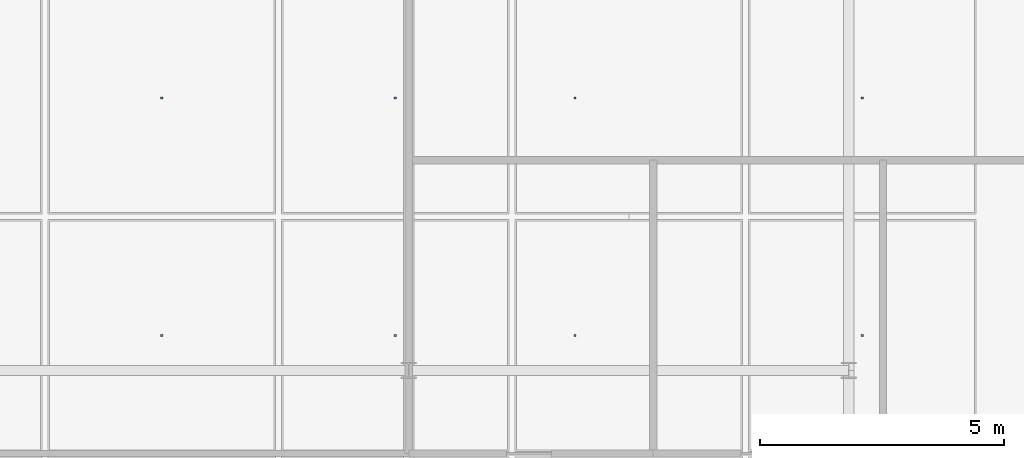
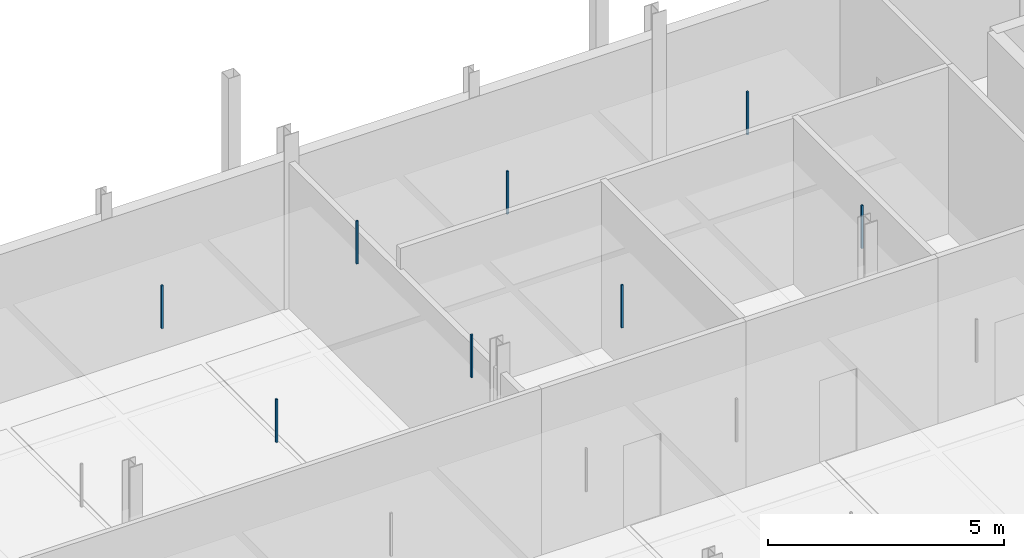
# One storey, part 60 of 89: 8 discrete accessories.
"""IFC4 building model written with IfcOpenShell, lengths in metres."""

from ifc_helpers import new_model, si_unit, direction, frame, origin, origin_2d, place, context, subcontext, project, spatial, rectangle, extrude, material, type_object, element, save


model = new_model("IFC4")

# Units and contexts
model_context = context("Model", 3, precision=1e-05, world=origin(), true_north=direction((0.0, 1.0)))
body_context = subcontext(model_context, "Body", "Model", "MODEL_VIEW")
ifc_project = project(units=[si_unit("LENGTHUNIT", "METRE"), si_unit("AREAUNIT", "SQUARE_METRE"), si_unit("VOLUMEUNIT", "CUBIC_METRE"), si_unit("PLANEANGLEUNIT", "RADIAN"), si_unit("MASSUNIT", "GRAM", prefix="KILO"), si_unit("THERMODYNAMICTEMPERATUREUNIT", "KELVIN"), si_unit("POWERUNIT", "WATT")], contexts=[model_context])

# Site, building, storey
site_placement = place(None, origin())
site = spatial("IfcSite", under=ifc_project, at=site_placement, CompositionType="ELEMENT")
building_placement = place(site_placement, origin())
building = spatial("IfcBuilding", under=site, at=building_placement, Name="Tallowbark Science Centre", CompositionType="ELEMENT")
storey_placement = place(building_placement, frame((0.0, 0.0, 14.39990234375)))
storey = spatial("IfcBuildingStorey", under=building, at=storey_placement, Name="L03", CompositionType="ELEMENT", Elevation=14.39990234375)

# Discrete accessories
ifc_material = material(Name="Galvanised Steel Grade C350L0 (350 MPa)", Category="steel")
discrete_accessory_type = type_object("IfcDiscreteAccessoryType", Name="ACC-CLG-HNG", PredefinedType="BRACKET", material=ifc_material)
for number, where, z_axis, x_axis, name in (
    (1, (71.4443359375, 32.21435546875, 3.20947265625), (0.0, 0.0, 1.0), (1.0, 0.0, 0.0), "Ceiling Hanger Bracket L03-959"),
    (2, (71.4443359375, 37.0712890625, 3.20947265625), (0.0, 0.0, 1.0), (1.0, 0.0, 0.0), "Ceiling Hanger Bracket L03-960"),
    (3, (76.22216796875, 32.21435546875, 3.20947265625), (0.0, 0.0, 1.0), (1.0, 0.0, 0.0), "Ceiling Hanger Bracket L03-966"),
    (4, (76.22216796875, 37.0712890625, 3.20947265625), (0.0, 0.0, 1.0), (1.0, 0.0, 0.0), "Ceiling Hanger Bracket L03-967"),
    (5, (79.900390625, 32.21435546875, 3.20947265625), (0.0, 0.0, 1.0), (1.0, 0.0, 0.0), "Ceiling Hanger Bracket L03-973"),
    (6, (79.900390625, 37.0712890625, 3.20947265625), (0.0, 0.0, 1.0), (1.0, 0.0, 0.0), "Ceiling Hanger Bracket L03-974"),
    (7, (85.77783203125, 32.21435546875, 3.20947265625), (0.0, 0.0, 1.0), (1.0, 0.0, 0.0), "Ceiling Hanger Bracket L03-980"),
    (8, (85.77783203125, 37.0712890625, 3.20947265625), (0.0, 0.0, 1.0), (1.0, 0.0, 0.0), "Ceiling Hanger Bracket L03-981"),
):
    element("IfcDiscreteAccessory", number, at=place(storey_placement, frame(where, z_axis=z_axis, x_axis=x_axis)), inside=storey, type_object=discrete_accessory_type, Name=name, PredefinedType="BRACKET", context=body_context, shape_type="SweptSolid", body=[
        extrude(rectangle(XDim=0.044921875, YDim=0.044921875, at=origin_2d()), origin(), (0.0, 0.0, 1.0), 1.113525390625),
    ])

save(model, "model.ifc")
